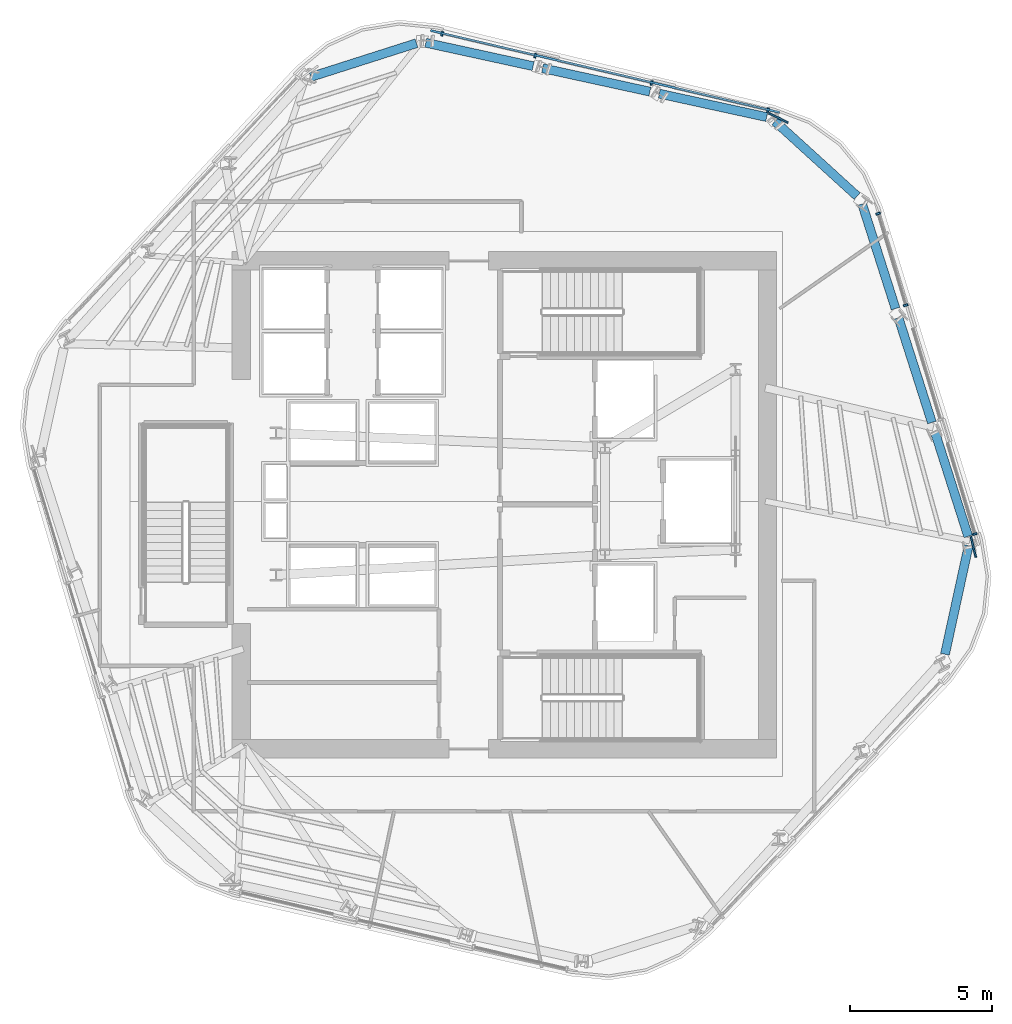
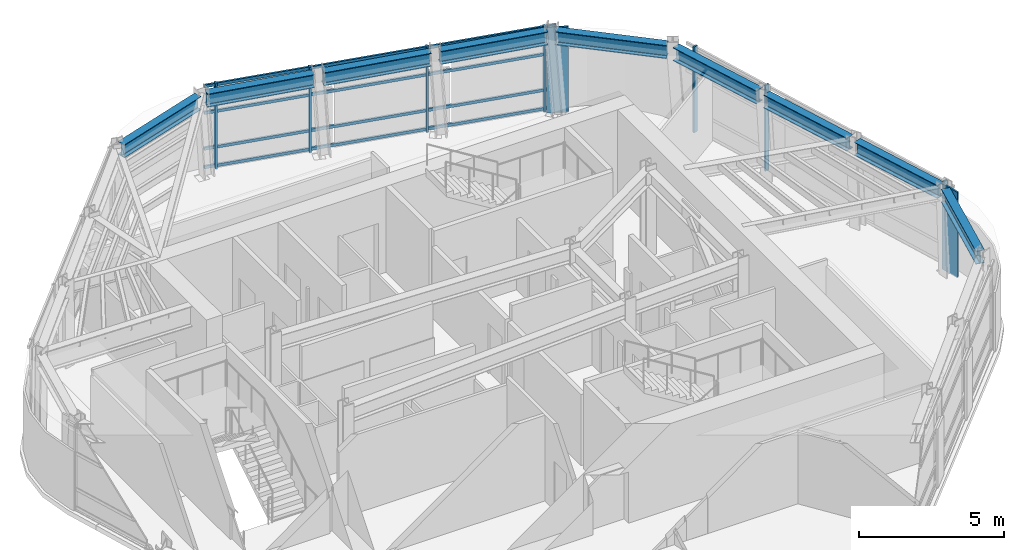
# One storey, part 5 of 13: 13 members, 9 beams, 2 elements without a shape of their own.
"""IFC4 building model written with IfcOpenShell, lengths in metres."""

from ifc_helpers import new_model, si_unit, direction, frame, origin, origin_2d, place, context, subcontext, project, spatial, rectangle, i_section, extrude, material, layer, layer_set, material_profile, profile_set, type_object, element, aggregate, save


model = new_model("IFC4")

# Units and contexts
model_context = context("Model", 3, precision=1e-05, world=origin(), true_north=direction((0.0, 1.0)))
body_context = subcontext(model_context, "Body", "Model", "MODEL_VIEW")
ifc_project = project(units=[si_unit("LENGTHUNIT", "METRE"), si_unit("AREAUNIT", "SQUARE_METRE"), si_unit("VOLUMEUNIT", "CUBIC_METRE"), si_unit("PLANEANGLEUNIT", "RADIAN"), si_unit("MASSUNIT", "GRAM", prefix="KILO")], contexts=[model_context])

# Site, building, storey
site_placement = place(None, origin())
site = spatial("IfcSite", under=ifc_project, at=site_placement, CompositionType="ELEMENT")
building_placement = place(site_placement, origin())
building = spatial("IfcBuilding", under=site, at=building_placement, Name="Valkerne Bourse Tower", CompositionType="ELEMENT")
storey_placement = place(building_placement, frame((0.0, 0.0, 224.60009765625)))
storey = spatial("IfcBuildingStorey", under=building, at=storey_placement, Name="L57", CompositionType="ELEMENT", Elevation=224.60009765625)

# Beams
ifc_material_1 = material(Name="Steel ASTM A992", Category="steel")
ifc_material_profile_1 = material_profile(ifc_material_1, i_section(OverallWidth=0.31494140625, OverallDepth=0.5537109375, WebThickness=0.0166015625, FlangeThickness=0.026123046875, FilletRadius=0.020263671875, at=origin_2d()), Name="W21X132")
ifc_profile_set_1 = profile_set([ifc_material_profile_1], Name="Steel ASTM A992")
beam_type = type_object("IfcBeamType", Name="BM-W21X132", PredefinedType="BEAM", material=ifc_profile_set_1)
beam_1_placement = place(storey_placement, frame((56.044677734375, 40.5400390625, 3.322998046875), z_axis=(-0.977038438993, 0.213063109736, 0.0), x_axis=(-0.213063109736, -0.977038438993, 0.0)))
element("IfcBeam", 1, at=beam_1_placement, inside=storey, type_object=beam_type, Name="L57 Hexagonal Spandrel Ring Beam 00", PredefinedType="BEAM", context=body_context, shape_type="SweptSolid", body=[
    extrude(i_section(OverallWidth=0.31494140625, OverallDepth=0.5537109375, WebThickness=0.0166015625, FlangeThickness=0.026123046875, FilletRadius=0.020263671875, at=origin_2d()), origin(), (0.0, 0.0, 1.0), 3.871826171875),
])
beam_2_placement = place(storey_placement, frame((51.929443359375, 41.4375, 3.322998046875), z_axis=(-0.977054424142, 0.212989793802, 0.0), x_axis=(-0.212989793802, -0.977054424142, 0.0)))
element("IfcBeam", 2, at=beam_2_placement, inside=storey, type_object=beam_type, Name="L57 Hexagonal Spandrel Ring Beam 01", PredefinedType="BEAM", context=body_context, shape_type="SweptSolid", body=[
    extrude(i_section(OverallWidth=0.31494140625, OverallDepth=0.5537109375, WebThickness=0.0166015625, FlangeThickness=0.026123046875, FilletRadius=0.020263671875, at=origin_2d()), origin(), (0.0, 0.0, 1.0), 3.8720703125),
])
beam_3_placement = place(storey_placement, frame((47.81396484375, 42.334716796875, 3.322998046875), z_axis=(-0.977038438993, 0.213063109736, 0.0), x_axis=(-0.213063109736, -0.977038438993, 0.0)))
element("IfcBeam", 3, at=beam_3_placement, inside=storey, type_object=beam_type, Name="L57 Hexagonal Spandrel Ring Beam 02", PredefinedType="BEAM", context=body_context, shape_type="SweptSolid", body=[
    extrude(i_section(OverallWidth=0.31494140625, OverallDepth=0.5537109375, WebThickness=0.0166015625, FlangeThickness=0.026123046875, FilletRadius=0.020263671875, at=origin_2d()), origin(), (0.0, 0.0, 1.0), 3.871826171875),
])
for number, where, z_axis, x_axis, name in (
    (4, (43.702880859375, 43.14404296875, 3.322998046875), (-0.95266420636, -0.304024521907, 0.0), (0.304024521907, -0.95266420636, 0.0), "L57 Hexagonal Spandrel Ring Beam 03"),
    (5, (62.329833984375, 21.610107421875, 3.322998046875), (0.212993926934, 0.977053523144, 0.0), (-0.977053523144, 0.212993926934, 0.0), "L57 Hexagonal Spandrel Ring Beam 19"),
):
    element("IfcBeam", number, at=place(storey_placement, frame(where, z_axis=z_axis, x_axis=x_axis)), inside=storey, type_object=beam_type, Name=name, PredefinedType="BEAM", context=body_context, shape_type="SweptSolid", body=[
        extrude(i_section(OverallWidth=0.31494140625, OverallDepth=0.5537109375, WebThickness=0.0166015625, FlangeThickness=0.026123046875, FilletRadius=0.020263671875, at=origin_2d()), origin(), (0.0, 0.0, 1.0), 3.91552734375),
    ])
beam_4_placement = place(storey_placement, frame((63.1484375, 25.763916015625, 3.322998046875), z_axis=(-0.304038956264, 0.952659599791, 0.0), x_axis=(-0.952659599791, -0.304038956264, 0.0)))
element("IfcBeam", 6, at=beam_4_placement, inside=storey, type_object=beam_type, Name="L57 Hexagonal Spandrel Ring Beam 20", PredefinedType="BEAM", context=body_context, shape_type="SweptSolid", body=[
    extrude(i_section(OverallWidth=0.31494140625, OverallDepth=0.5537109375, WebThickness=0.0166015625, FlangeThickness=0.026123046875, FilletRadius=0.020263671875, at=origin_2d()), origin(), (0.0, 0.0, 1.0), 3.8720703125),
])
for number, where, z_axis, x_axis, name in (
    (7, (61.867919921875, 29.776611328125, 3.322998046875), (-0.304057220174, 0.952653770716, 0.0), (-0.952653770716, -0.304057220174, 0.0), "L57 Hexagonal Spandrel Ring Beam 21"),
    (8, (60.58740234375, 33.789306640625, 3.322998046875), (-0.304057220174, 0.952653770716, 0.0), (-0.952653770716, -0.304057220174, 0.0), "L57 Hexagonal Spandrel Ring Beam 22"),
):
    element("IfcBeam", number, at=place(storey_placement, frame(where, z_axis=z_axis, x_axis=x_axis)), inside=storey, type_object=beam_type, Name=name, PredefinedType="BEAM", context=body_context, shape_type="SweptSolid", body=[
        extrude(i_section(OverallWidth=0.31494140625, OverallDepth=0.5537109375, WebThickness=0.0166015625, FlangeThickness=0.026123046875, FilletRadius=0.020263671875, at=origin_2d()), origin(), (0.0, 0.0, 1.0), 3.871826171875),
    ])
beam_5_placement = place(storey_placement, frame((59.232666015625, 37.754150390625, 3.322998046875), z_axis=(-0.739646595787, 0.67299547795, 0.0), x_axis=(-0.67299547795, -0.739646595787, 0.0)))
element("IfcBeam", 9, at=beam_5_placement, inside=storey, type_object=beam_type, Name="L57 Hexagonal Spandrel Ring Beam 23", PredefinedType="BEAM", context=body_context, shape_type="SweptSolid", body=[
    extrude(i_section(OverallWidth=0.31494140625, OverallDepth=0.5537109375, WebThickness=0.0166015625, FlangeThickness=0.026123046875, FilletRadius=0.020263671875, at=origin_2d()), origin(), (0.0, 0.0, 1.0), 3.915771484375),
])

# Curtain wall, members
ifc_material_2 = material(Name="Aluminium AA 6063-T6", Category="aluminium")
ifc_layer = layer(ifc_material_2, 0.239990234375)
ifc_layer_set = layer_set([ifc_layer], Name="Aluminium AA 6063-T6")
curtain_wall_type = type_object("IfcCurtainWallType", Name="CW-04", PredefinedType="NOTDEFINED", material=ifc_layer_set)
curtain_wall_1_placement = place(storey_placement, origin())
curtain_wall_1 = element("IfcCurtainWall", 10, at=curtain_wall_1_placement, inside=storey, type_object=curtain_wall_type, Name="L57 Hexagonal Stick Curtain Wall Face 1", PredefinedType="NOTDEFINED")
ifc_material_profile_2 = material_profile(ifc_material_2, rectangle(XDim=0.074951171875, YDim=0.159912109375, at=origin_2d()), Name="CWM-75X160")
ifc_profile_set_2 = profile_set([ifc_material_profile_2], Name="Aluminium AA 6063-T6")
member_type_1 = type_object("IfcMemberType", Name="CW-MUL-160X75", PredefinedType="MULLION", material=ifc_profile_set_2)
member_1_placement = place(storey_placement, frame((56.09033203125, 40.781494140625, 0.0), z_axis=(0.0, 0.0, 1.0), x_axis=(-0.973579457174, 0.228348506824, 0.0)))
member_1 = element("IfcMember", 11, at=member_1_placement, type_object=member_type_1, Name="CW-L57-F1 Jamb Mullion 00A", PredefinedType="MULLION", context=body_context, shape_type="SweptSolid", body=[
    extrude(rectangle(XDim=0.074951171875, YDim=0.159912109375, at=origin_2d()), origin(), (0.0, 0.0, 1.0), 3.599853515625),
])
member_2_placement = place(storey_placement, frame((51.98974609375, 41.7431640625, 0.0), z_axis=(0.0, 0.0, 1.0), x_axis=(-0.973579457174, 0.228348506824, 0.0)))
member_2 = element("IfcMember", 12, at=member_2_placement, type_object=member_type_1, Name="CW-L57-F1 Jamb Mullion 01A", PredefinedType="MULLION", context=body_context, shape_type="SweptSolid", body=[
    extrude(rectangle(XDim=0.074951171875, YDim=0.159912109375, at=origin_2d()), origin(), (0.0, 0.0, 1.0), 3.599853515625),
])
member_3_placement = place(storey_placement, frame((47.888916015625, 42.705078125, 0.0), z_axis=(0.0, 0.0, 1.0), x_axis=(-0.973579457174, 0.228348506824, 0.0)))
member_3 = element("IfcMember", 13, at=member_3_placement, type_object=member_type_1, Name="CW-L57-F1 Jamb Mullion 02A", PredefinedType="MULLION", context=body_context, shape_type="SweptSolid", body=[
    extrude(rectangle(XDim=0.074951171875, YDim=0.159912109375, at=origin_2d()), origin(), (0.0, 0.0, 1.0), 3.599853515625),
])
member_4_placement = place(storey_placement, frame((44.606201171875, 43.47509765625, 0.0), z_axis=(0.0, 0.0, 1.0), x_axis=(-0.973579457174, 0.228348506824, 0.0)))
member_4 = element("IfcMember", 14, at=member_4_placement, type_object=member_type_1, Name="CW-L57-F1 Jamb Mullion 02B", PredefinedType="MULLION", context=body_context, shape_type="SweptSolid", body=[
    extrude(rectangle(XDim=0.074951171875, YDim=0.159912109375, at=origin_2d()), origin(), (0.0, 0.0, 1.0), 3.599853515625),
])

curtain_wall_2_placement = place(storey_placement, origin())
curtain_wall_2 = element("IfcCurtainWall", 15, at=curtain_wall_2_placement, inside=storey, type_object=curtain_wall_type, Name="L57 Hexagonal Stick Curtain Wall Face 6", PredefinedType="NOTDEFINED")
member_5_placement = place(storey_placement, frame((63.38037109375, 25.844970703125, 0.0), z_axis=(0.0, 0.0, 1.0), x_axis=(-0.289033329904, 0.957319034703, 0.0)))
member_5 = element("IfcMember", 16, at=member_5_placement, type_object=member_type_1, Name="CW-L57-F6 Jamb Mullion 00A", PredefinedType="MULLION", context=body_context, shape_type="SweptSolid", body=[
    extrude(rectangle(XDim=0.074951171875, YDim=0.159912109375, at=origin_2d()), origin(), (0.0, 0.0, 1.0), 3.599853515625),
])
member_6_placement = place(storey_placement, frame((60.945556640625, 33.9091796875, 0.0), z_axis=(0.0, 0.0, 1.0), x_axis=(-0.289026760752, 0.957321018034, 0.0)))
member_6 = element("IfcMember", 17, at=member_6_placement, type_object=member_type_1, Name="CW-L57-F6 Jamb Mullion 02A", PredefinedType="MULLION", context=body_context, shape_type="SweptSolid", body=[
    extrude(rectangle(XDim=0.074951171875, YDim=0.159912109375, at=origin_2d()), origin(), (0.0, 0.0, 1.0), 3.599853515625),
])
member_7_placement = place(storey_placement, frame((59.970947265625, 37.137451171875, 0.0), z_axis=(0.0, 0.0, 1.0), x_axis=(-0.289026760752, 0.957321018034, 0.0)))
member_7 = element("IfcMember", 18, at=member_7_placement, type_object=member_type_1, Name="CW-L57-F6 Jamb Mullion 02B", PredefinedType="MULLION", context=body_context, shape_type="SweptSolid", body=[
    extrude(rectangle(XDim=0.074951171875, YDim=0.159912109375, at=origin_2d()), origin(), (0.0, 0.0, 1.0), 3.599853515625),
])
aggregate(curtain_wall_2, [member_5, member_6, member_7])

# Member
ifc_material_profile_3 = material_profile(ifc_material_2, rectangle(XDim=0.074951171875, YDim=0.1201171875, at=origin_2d()), Name="CWT-75X120")
ifc_profile_set_3 = profile_set([ifc_material_profile_3], Name="Aluminium AA 6063-T6")
member_type_2 = type_object("IfcMemberType", Name="CW-TRN-120X75", PredefinedType="USERDEFINED", material=ifc_profile_set_3)
member_8_placement = place(storey_placement, frame((56.50390625, 40.705078125, 0.119873046875), z_axis=(-0.973581622913, 0.228339272849, 0.0), x_axis=(-0.228339272849, -0.973581622913, 0.0)))
member_8 = element("IfcMember", 19, at=member_8_placement, type_object=member_type_2, Name="CW-L57-F1 Continuous Face Transom 1", ObjectType="TRANSOM", PredefinedType="USERDEFINED", context=body_context, shape_type="SweptSolid", body=[
    extrude(rectangle(XDim=0.074951171875, YDim=0.1201171875, at=origin_2d()), origin(), (0.0, 0.0, 1.0), 12.6357421875),
])

member_9_placement = place(storey_placement, frame((56.50390625, 40.705078125, 0.89990234375), z_axis=(-0.973581622913, 0.228339272849, 0.0), x_axis=(-0.228339272849, -0.973581622913, 0.0)))
member_9 = element("IfcMember", 20, at=member_9_placement, type_object=member_type_2, Name="CW-L57-F1 Continuous Face Transom 2", ObjectType="TRANSOM", PredefinedType="USERDEFINED", context=body_context, shape_type="SweptSolid", body=[
    extrude(rectangle(XDim=0.074951171875, YDim=0.1201171875, at=origin_2d()), origin(), (0.0, 0.0, 1.0), 12.6357421875),
])

member_10_placement = place(storey_placement, frame((56.50390625, 40.705078125, 2.39990234375), z_axis=(-0.973581622913, 0.228339272849, 0.0), x_axis=(-0.228339272849, -0.973581622913, 0.0)))
member_10 = element("IfcMember", 21, at=member_10_placement, type_object=member_type_2, Name="CW-L57-F1 Continuous Face Transom 3", ObjectType="TRANSOM", PredefinedType="USERDEFINED", context=body_context, shape_type="SweptSolid", body=[
    extrude(rectangle(XDim=0.074951171875, YDim=0.1201171875, at=origin_2d()), origin(), (0.0, 0.0, 1.0), 12.6357421875),
])

member_11_placement = place(storey_placement, frame((56.50390625, 40.705078125, 3.52001953125), z_axis=(-0.973581622913, 0.228339272849, 0.0), x_axis=(-0.228339272849, -0.973581622913, 0.0)))
member_11 = element("IfcMember", 22, at=member_11_placement, type_object=member_type_2, Name="CW-L57-F1 Continuous Face Transom 4", ObjectType="TRANSOM", PredefinedType="USERDEFINED", context=body_context, shape_type="SweptSolid", body=[
    extrude(rectangle(XDim=0.074951171875, YDim=0.1201171875, at=origin_2d()), origin(), (0.0, 0.0, 1.0), 12.6357421875),
])

aggregate(curtain_wall_1, [member_8, member_9, member_10, member_11, member_1, member_2, member_3, member_4])

# Members
ifc_material_3 = material(Name="Bronze Anodised Aluminium AA 6063-T6", Category="aluminium")
ifc_material_profile_4 = material_profile(ifc_material_3, rectangle(XDim=0.06494140625, YDim=0.75, at=origin_2d()), Name="FIN-65X750")
ifc_profile_set_4 = profile_set([ifc_material_profile_4], Name="Bronze Anodised Aluminium AA 6063-T6")
member_type_3 = type_object("IfcMemberType", Name="FIN-SOLAR-650", PredefinedType="USERDEFINED", material=ifc_profile_set_4)
for number, where, z_axis, x_axis, name in (
    (23, (56.458251953125, 40.51025390625, 0.00390625), (0.0, 0.0, 1.0), (0.446777704355, 0.894645003837, 0.0), "L57 Bronze Anodised Solar Fin F1-00"),
    (24, (63.329345703125, 25.390869140625, 0.00390625), (0.0, 0.0, 1.0), (0.971060776644, 0.238832510483, 0.0), "L57 Bronze Anodised Solar Fin F6-00"),
):
    element("IfcMember", number, at=place(storey_placement, frame(where, z_axis=z_axis, x_axis=x_axis)), inside=storey, type_object=member_type_3, Name=name, ObjectType="SOLAR_FIN", PredefinedType="USERDEFINED", context=body_context, shape_type="SweptSolid", body=[
        extrude(rectangle(XDim=0.06494140625, YDim=0.75, at=origin_2d()), origin(), (0.0, 0.0, 1.0), 3.592041015625),
    ])

save(model, "model.ifc")
